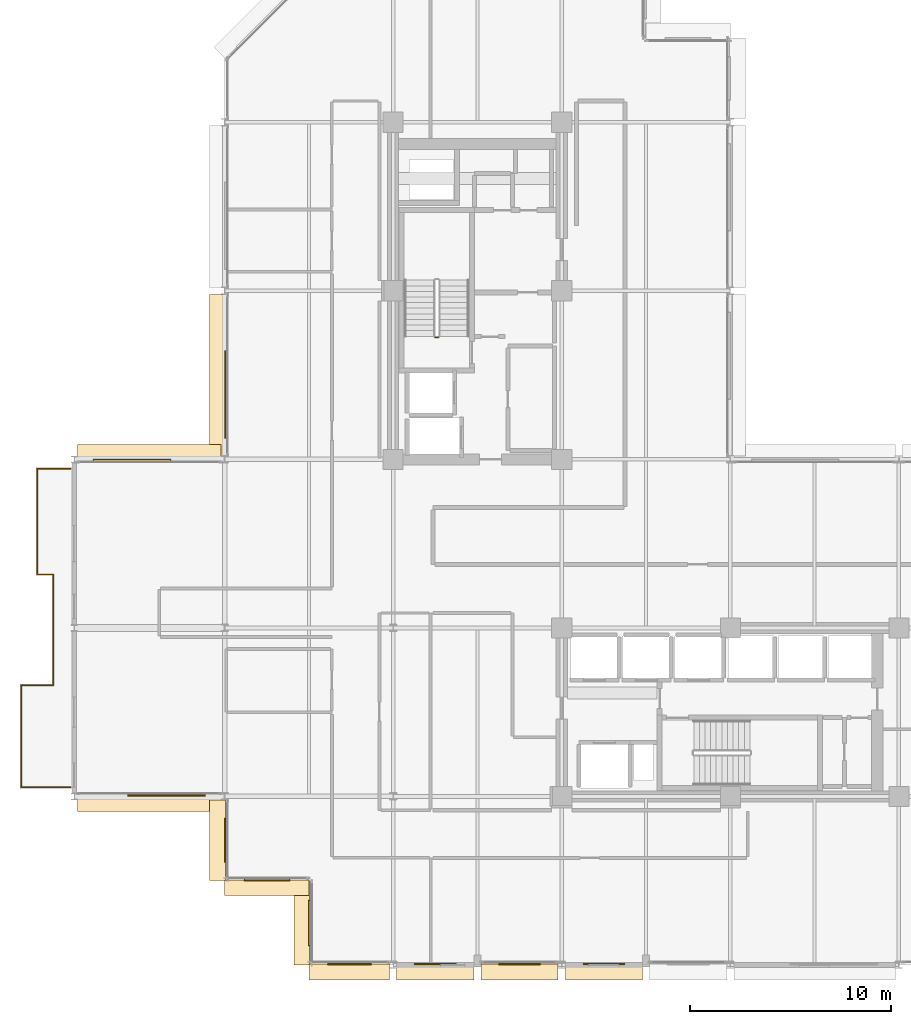
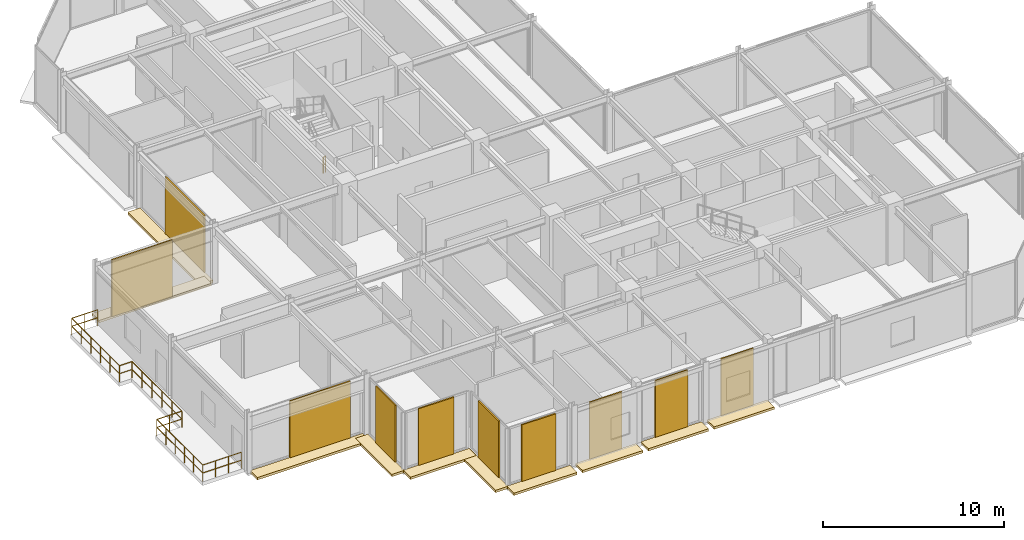
# One storey, part 27 of 29: 20 coverings, 8 railings.
"""IFC4 building model written with IfcOpenShell, lengths in metres."""

from ifc_helpers import new_model, si_unit, direction, frame, origin, origin_2d, place, context, subcontext, project, spatial, polyline, rectangle, circle, outline, extrude, material, layer, layer_set, type_object, element, save


model = new_model("IFC4")

# Units and contexts
model_context = context("Model", 3, precision=1e-05, world=origin(), true_north=direction((0.0, 1.0)))
body_context = subcontext(model_context, "Body", "Model", "MODEL_VIEW")
ifc_project = project(units=[si_unit("LENGTHUNIT", "METRE"), si_unit("AREAUNIT", "SQUARE_METRE"), si_unit("VOLUMEUNIT", "CUBIC_METRE"), si_unit("PLANEANGLEUNIT", "RADIAN"), si_unit("MASSUNIT", "GRAM", prefix="KILO")], contexts=[model_context])

# Site, building, storey
site_placement = place(None, origin())
site = spatial("IfcSite", under=ifc_project, at=site_placement, CompositionType="ELEMENT")
building_placement = place(site_placement, origin())
building = spatial("IfcBuilding", under=site, at=building_placement, Name="Nerrivon Quay Data Exchange", CompositionType="ELEMENT")
storey_placement = place(building_placement, frame((0.0, 0.0, 179.60009765625)))
storey = spatial("IfcBuildingStorey", under=building, at=storey_placement, Name="L42", CompositionType="ELEMENT", Elevation=179.60009765625)

# Coverings
ifc_material_1 = material(Name="Architectural terracotta ceramic", Category="masonry")
ifc_layer_1 = layer(ifc_material_1, 0.159912109375)
ifc_layer_set_1 = layer_set([ifc_layer_1], Name="Architectural terracotta ceramic")
covering_type_1 = type_object("IfcCoveringType", Name="COV-BLD-TERR", PredefinedType="CLADDING", material=ifc_layer_set_1)
covering_1_placement = place(storey_placement, frame((0.0, 0.0, -0.16015625)))
element("IfcCovering", 1, at=covering_1_placement, inside=storey, type_object=covering_type_1, Name="L42 Horizontal Terracotta SOLAR SCREEN Blade", PredefinedType="CLADDING", context=body_context, shape_type="SweptSolid", body=[
    extrude(outline(polyline([(-7.344482421875, 25.159912109375), (-0.175048828125, 25.159912109375), (-0.175048828125, 25.949951171875), (-7.344482421875, 25.949951171875), (-7.344482421875, 25.159912109375)])), origin(), (0.0, 0.0, 1.0), 0.16015625),
])
covering_2_placement = place(storey_placement, frame((0.0, 0.0, -0.16015625)))
element("IfcCovering", 2, at=covering_2_placement, inside=storey, type_object=covering_type_1, Name="L42 Horizontal Terracotta SOLAR SCREEN Blade", PredefinedType="CLADDING", context=body_context, shape_type="SweptSolid", body=[
    extrude(outline(polyline([(0.0400390625, 25.375), (0.0400390625, 33.425048828125), (-0.75, 33.425048828125), (-0.75, 25.375), (0.0400390625, 25.375)])), origin(), (0.0, 0.0, 1.0), 0.16015625),
])
covering_3_placement = place(storey_placement, frame((0.0, 0.0, -0.16015625)))
element("IfcCovering", 3, at=covering_3_placement, inside=storey, type_object=covering_type_1, Name="L42 Horizontal Terracotta SOLAR SCREEN Blade", PredefinedType="CLADDING", context=body_context, shape_type="SweptSolid", body=[
    extrude(outline(polyline([(20.824951171875, 0.0400390625), (16.97509765625, 0.0400390625), (16.97509765625, -0.75), (20.824951171875, -0.75), (20.824951171875, 0.0400390625)])), origin(), (0.0, 0.0, 1.0), 0.16015625),
])
covering_4_placement = place(storey_placement, frame((0.0, 0.0, -0.16015625)))
element("IfcCovering", 4, at=covering_4_placement, inside=storey, type_object=covering_type_1, Name="L42 Horizontal Terracotta SOLAR SCREEN Blade", PredefinedType="CLADDING", context=body_context, shape_type="SweptSolid", body=[
    extrude(outline(polyline([(16.625, 0.0400390625), (12.77490234375, 0.0400390625), (12.77490234375, -0.75), (16.625, -0.75), (16.625, 0.0400390625)])), origin(), (0.0, 0.0, 1.0), 0.16015625),
])
covering_5_placement = place(storey_placement, frame((0.0, 0.0, -0.16015625)))
element("IfcCovering", 5, at=covering_5_placement, inside=storey, type_object=covering_type_1, Name="L42 Horizontal Terracotta SOLAR SCREEN Blade", PredefinedType="CLADDING", context=body_context, shape_type="SweptSolid", body=[
    extrude(outline(polyline([(12.425048828125, 0.0400390625), (8.574951171875, 0.0400390625), (8.574951171875, -0.75), (12.425048828125, -0.75), (12.425048828125, 0.0400390625)])), origin(), (0.0, 0.0, 1.0), 0.16015625),
])
covering_6_placement = place(storey_placement, frame((0.0, 0.0, -0.16015625)))
element("IfcCovering", 6, at=covering_6_placement, inside=storey, type_object=covering_type_1, Name="L42 Horizontal Terracotta SOLAR SCREEN Blade", PredefinedType="CLADDING", context=body_context, shape_type="SweptSolid", body=[
    extrude(outline(polyline([(8.22509765625, 0.0400390625), (4.199951171875, 0.0400390625), (4.199951171875, -0.75), (8.22509765625, -0.75), (8.22509765625, 0.0400390625)])), origin(), (0.0, 0.0, 1.0), 0.16015625),
])
covering_7_placement = place(storey_placement, frame((0.0, 0.0, -0.16015625)))
element("IfcCovering", 7, at=covering_7_placement, inside=storey, type_object=covering_type_1, Name="L42 Horizontal Terracotta SOLAR SCREEN Blade", PredefinedType="CLADDING", context=body_context, shape_type="SweptSolid", body=[
    extrude(outline(polyline([(4.239990234375, 0.0), (4.239990234375, 4.199951171875), (3.449951171875, 4.199951171875), (3.449951171875, 0.0), (4.239990234375, 0.0)])), origin(), (0.0, 0.0, 1.0), 0.16015625),
])
covering_8_placement = place(storey_placement, frame((0.0, 0.0, -0.16015625)))
element("IfcCovering", 8, at=covering_8_placement, inside=storey, type_object=covering_type_1, Name="L42 Horizontal Terracotta SOLAR SCREEN Blade", PredefinedType="CLADDING", context=body_context, shape_type="SweptSolid", body=[
    extrude(outline(polyline([(4.199951171875, 4.239990234375), (0.0, 4.239990234375), (0.0, 3.449951171875), (4.199951171875, 3.449951171875), (4.199951171875, 4.239990234375)])), origin(), (0.0, 0.0, 1.0), 0.16015625),
])
covering_9_placement = place(storey_placement, frame((0.0, 0.0, -0.16015625)))
element("IfcCovering", 9, at=covering_9_placement, inside=storey, type_object=covering_type_1, Name="L42 Horizontal Terracotta SOLAR SCREEN Blade", PredefinedType="CLADDING", context=body_context, shape_type="SweptSolid", body=[
    extrude(outline(polyline([(0.0400390625, 4.199951171875), (0.0400390625, 8.22509765625), (-0.75, 8.22509765625), (-0.75, 4.199951171875), (0.0400390625, 4.199951171875)])), origin(), (0.0, 0.0, 1.0), 0.16015625),
])
covering_10_placement = place(storey_placement, frame((0.0, 0.0, -0.16015625)))
element("IfcCovering", 10, at=covering_10_placement, inside=storey, type_object=covering_type_1, Name="L42 Horizontal Terracotta SOLAR SCREEN Blade", PredefinedType="CLADDING", context=body_context, shape_type="SweptSolid", body=[
    extrude(outline(polyline([(-0.175048828125, 8.43994140625), (-7.344482421875, 8.43994140625), (-7.344482421875, 7.64990234375), (-0.175048828125, 7.64990234375), (-0.175048828125, 8.43994140625)])), origin(), (0.0, 0.0, 1.0), 0.16015625),
])
ifc_layer_2 = layer(ifc_material_1, 0.090087890625)
ifc_layer_set_2 = layer_set([ifc_layer_2], Name="Architectural terracotta ceramic")
covering_type_2 = type_object("IfcCoveringType", Name="COV-SCR-TERR", PredefinedType="CLADDING", material=ifc_layer_set_2)
covering_11_placement = place(storey_placement, frame((-4.6201171875, 25.155029296875, 0.0), z_axis=(0.0, 0.0, 1.0), x_axis=(1.0, 0.0, 0.0)))
element("IfcCovering", 11, at=covering_11_placement, inside=storey, type_object=covering_type_2, Name="L42 Perforated Terracotta SOLAR SCREEN Cassette", PredefinedType="CLADDING", context=body_context, shape_type="SweptSolid", body=[
    extrude(rectangle(XDim=3.8720703125, YDim=0.090087890625, at=origin_2d()), origin(), (0.0, 0.0, 1.0), 3.824951171875),
])
covering_12_placement = place(storey_placement, frame((0.044921875, 28.43408203125, 0.0), z_axis=(0.0, 0.0, 1.0), x_axis=(0.0, 1.0, 0.0)))
element("IfcCovering", 12, at=covering_12_placement, inside=storey, type_object=covering_type_2, Name="L42 Perforated Terracotta SOLAR SCREEN Cassette", PredefinedType="CLADDING", context=body_context, shape_type="SweptSolid", body=[
    extrude(rectangle(XDim=4.346923828125, YDim=0.090087890625, at=origin_2d()), origin(), (0.0, 0.0, 1.0), 3.824951171875),
])
for number, where, z_axis, x_axis, name in (
    (13, (18.89990234375, 0.044921875, 0.0), (0.0, 0.0, 1.0), (-1.0, 0.0, 0.0), "L42 Perforated Terracotta SOLAR SCREEN Cassette"),
    (14, (14.699951171875, 0.044921875, 0.0), (0.0, 0.0, 1.0), (-1.0, 0.0, 0.0), "L42 Perforated Terracotta SOLAR SCREEN Cassette"),
    (15, (10.5, 0.044921875, 0.0), (0.0, 0.0, 1.0), (-1.0, 0.0, 0.0), "L42 Perforated Terracotta SOLAR SCREEN Cassette"),
):
    element("IfcCovering", number, at=place(storey_placement, frame(where, z_axis=z_axis, x_axis=x_axis)), inside=storey, type_object=covering_type_2, Name=name, PredefinedType="CLADDING", context=body_context, shape_type="SweptSolid", body=[
        extrude(rectangle(XDim=2.0791015625, YDim=0.090087890625, at=origin_2d()), origin(), (0.0, 0.0, 1.0), 3.824951171875),
    ])
covering_13_placement = place(storey_placement, frame((6.21240234375, 0.044921875, 0.0), z_axis=(0.0, 0.0, 1.0), x_axis=(-1.0, 0.0, 0.0)))
element("IfcCovering", 16, at=covering_13_placement, inside=storey, type_object=covering_type_2, Name="L42 Perforated Terracotta SOLAR SCREEN Cassette", PredefinedType="CLADDING", context=body_context, shape_type="SweptSolid", body=[
    extrude(rectangle(XDim=2.173095703125, YDim=0.090087890625, at=origin_2d()), origin(), (0.0, 0.0, 1.0), 3.824951171875),
])
for number, where, z_axis, x_axis, name in (
    (17, (4.2451171875, 2.10009765625, 0.0), (0.0, 0.0, 1.0), (0.0, 1.0, 0.0), "L42 Perforated Terracotta SOLAR SCREEN Cassette"),
    (18, (2.10009765625, 4.2451171875, 0.0), (0.0, 0.0, 1.0), (-1.0, 0.0, 0.0), "L42 Perforated Terracotta SOLAR SCREEN Cassette"),
):
    element("IfcCovering", number, at=place(storey_placement, frame(where, z_axis=z_axis, x_axis=x_axis)), inside=storey, type_object=covering_type_2, Name=name, PredefinedType="CLADDING", context=body_context, shape_type="SweptSolid", body=[
        extrude(rectangle(XDim=2.26806640625, YDim=0.090087890625, at=origin_2d()), origin(), (0.0, 0.0, 1.0), 3.824951171875),
    ])
covering_14_placement = place(storey_placement, frame((0.044921875, 6.21240234375, 0.0), z_axis=(0.0, 0.0, 1.0), x_axis=(0.0, 1.0, 0.0)))
element("IfcCovering", 19, at=covering_14_placement, inside=storey, type_object=covering_type_2, Name="L42 Perforated Terracotta SOLAR SCREEN Cassette", PredefinedType="CLADDING", context=body_context, shape_type="SweptSolid", body=[
    extrude(rectangle(XDim=2.173095703125, YDim=0.090087890625, at=origin_2d()), origin(), (0.0, 0.0, 1.0), 3.824951171875),
])
covering_15_placement = place(storey_placement, frame((-2.8994140625, 8.445068359375, 0.0), z_axis=(0.0, 0.0, 1.0), x_axis=(-1.0, 0.0, 0.0)))
element("IfcCovering", 20, at=covering_15_placement, inside=storey, type_object=covering_type_2, Name="L42 Perforated Terracotta SOLAR SCREEN Cassette", PredefinedType="CLADDING", context=body_context, shape_type="SweptSolid", body=[
    extrude(rectangle(XDim=3.8720703125, YDim=0.090087890625, at=origin_2d()), origin(), (0.0, 0.0, 1.0), 3.824951171875),
])

# Railings
ifc_material_2 = material(Name="Steel Grade C350L0 (350 MPa)", Category="steel")
railing_type_1 = type_object("IfcRailingType", Name="RAIL-GUARD-GR2", PredefinedType="BALUSTRADE", material=ifc_material_2)
railing_1_placement = place(storey_placement, frame((-7.679931640625, 8.860107421875, 0.0)))
element("IfcRailing", 21, at=railing_1_placement, inside=storey, type_object=railing_type_1, Name="L42 Verandah Balcony Guard 1.1 1", PredefinedType="BALUSTRADE", context=body_context, shape_type="SweptSolid", body=[
    extrude(circle(Radius=0.02392578125, at=origin_2d()), frame((0.0, 0.0, 1.09619140625), z_axis=(-1.0, 0.0, 0.0), x_axis=(0.0, -1.0, 0.0)), (0.0, 0.0, 1.0), 2.4599609375),
    extrude(circle(Radius=0.02392578125, at=origin_2d()), frame((0.0, 0.0, 0.56005859375), z_axis=(-1.0, 0.0, 0.0), x_axis=(0.0, -1.0, 0.0)), (0.0, 0.0, 1.0), 2.4599609375),
    extrude(circle(Radius=0.02099609375, at=origin_2d()), origin(), (0.0, 0.0, 1.0), 1.072021484375),
    extrude(circle(Radius=0.02099609375, at=origin_2d()), frame((-0.820068359375, 0.0, 0.0)), (0.0, 0.0, 1.0), 1.072021484375),
    extrude(circle(Radius=0.02099609375, at=origin_2d()), frame((-1.639892578125, 0.0, 0.0)), (0.0, 0.0, 1.0), 1.072021484375),
    extrude(circle(Radius=0.02099609375, at=origin_2d()), frame((-2.4599609375, 0.0, 0.0)), (0.0, 0.0, 1.0), 1.072021484375),
])
railing_2_placement = place(storey_placement, frame((-10.139892578125, 8.860107421875, 0.0)))
element("IfcRailing", 22, at=railing_2_placement, inside=storey, type_object=railing_type_1, Name="L42 Verandah Balcony Guard 1.2 1", PredefinedType="BALUSTRADE", context=body_context, shape_type="SweptSolid", body=[
    extrude(circle(Radius=0.02392578125, at=origin_2d()), frame((0.0, 0.0, 1.09619140625), z_axis=(0.0, 1.0, 0.0), x_axis=(-1.0, 0.0, 0.0)), (0.0, 0.0, 1.0), 5.079833984375),
    extrude(circle(Radius=0.02392578125, at=origin_2d()), frame((0.0, 0.0, 0.56005859375), z_axis=(0.0, 1.0, 0.0), x_axis=(-1.0, 0.0, 0.0)), (0.0, 0.0, 1.0), 5.079833984375),
    extrude(circle(Radius=0.02099609375, at=origin_2d()), origin(), (0.0, 0.0, 1.0), 1.072021484375),
    extrude(circle(Radius=0.02099609375, at=origin_2d()), frame((0.0, 1.015869140625, 0.0)), (0.0, 0.0, 1.0), 1.072021484375),
    extrude(circle(Radius=0.02099609375, at=origin_2d()), frame((0.0, 2.031982421875, 0.0)), (0.0, 0.0, 1.0), 1.072021484375),
    extrude(circle(Radius=0.02099609375, at=origin_2d()), frame((0.0, 3.0478515625, 0.0)), (0.0, 0.0, 1.0), 1.072021484375),
    extrude(circle(Radius=0.02099609375, at=origin_2d()), frame((0.0, 4.06396484375, 0.0)), (0.0, 0.0, 1.0), 1.072021484375),
    extrude(circle(Radius=0.02099609375, at=origin_2d()), frame((0.0, 5.079833984375, 0.0)), (0.0, 0.0, 1.0), 1.072021484375),
])
railing_3_placement = place(storey_placement, frame((-10.139892578125, 13.93994140625, 0.0)))
element("IfcRailing", 23, at=railing_3_placement, inside=storey, type_object=railing_type_1, Name="L42 Verandah Balcony Guard 1.3 1", PredefinedType="BALUSTRADE", context=body_context, shape_type="SweptSolid", body=[
    extrude(circle(Radius=0.02392578125, at=origin_2d()), frame((0.0, 0.0, 1.09619140625), z_axis=(1.0, 0.0, 0.0), x_axis=(0.0, 1.0, 0.0)), (0.0, 0.0, 1.0), 1.599853515625),
    extrude(circle(Radius=0.02392578125, at=origin_2d()), frame((0.0, 0.0, 0.56005859375), z_axis=(1.0, 0.0, 0.0), x_axis=(0.0, 1.0, 0.0)), (0.0, 0.0, 1.0), 1.599853515625),
    extrude(circle(Radius=0.02099609375, at=origin_2d()), origin(), (0.0, 0.0, 1.0), 1.072021484375),
    extrude(circle(Radius=0.02099609375, at=origin_2d()), frame((0.7998046875, 0.0, 0.0)), (0.0, 0.0, 1.0), 1.072021484375),
    extrude(circle(Radius=0.02099609375, at=origin_2d()), frame((1.599853515625, 0.0, 0.0)), (0.0, 0.0, 1.0), 1.072021484375),
])
railing_4_placement = place(storey_placement, frame((-8.5400390625, 13.93994140625, 0.0)))
element("IfcRailing", 24, at=railing_4_placement, inside=storey, type_object=railing_type_1, Name="L42 Verandah Balcony Guard 1.4 1", PredefinedType="BALUSTRADE", context=body_context, shape_type="SweptSolid", body=[
    extrude(circle(Radius=0.02392578125, at=origin_2d()), frame((0.0, 0.0, 1.09619140625), z_axis=(0.0, 1.0, 0.0), x_axis=(-1.0, 0.0, 0.0)), (0.0, 0.0, 1.0), 5.52001953125),
    extrude(circle(Radius=0.02392578125, at=origin_2d()), frame((0.0, 0.0, 0.56005859375), z_axis=(0.0, 1.0, 0.0), x_axis=(-1.0, 0.0, 0.0)), (0.0, 0.0, 1.0), 5.52001953125),
    extrude(circle(Radius=0.02099609375, at=origin_2d()), origin(), (0.0, 0.0, 1.0), 1.072021484375),
    extrude(circle(Radius=0.02099609375, at=origin_2d()), frame((0.0, 1.10400390625, 0.0)), (0.0, 0.0, 1.0), 1.072021484375),
    extrude(circle(Radius=0.02099609375, at=origin_2d()), frame((0.0, 2.2080078125, 0.0)), (0.0, 0.0, 1.0), 1.072021484375),
    extrude(circle(Radius=0.02099609375, at=origin_2d()), frame((0.0, 3.31201171875, 0.0)), (0.0, 0.0, 1.0), 1.072021484375),
    extrude(circle(Radius=0.02099609375, at=origin_2d()), frame((0.0, 4.416015625, 0.0)), (0.0, 0.0, 1.0), 1.072021484375),
    extrude(circle(Radius=0.02099609375, at=origin_2d()), frame((0.0, 5.52001953125, 0.0)), (0.0, 0.0, 1.0), 1.072021484375),
])
railing_5_placement = place(storey_placement, frame((-8.5400390625, 19.4599609375, 0.0)))
element("IfcRailing", 25, at=railing_5_placement, inside=storey, type_object=railing_type_1, Name="L42 Verandah Balcony Guard 1.5 1", PredefinedType="BALUSTRADE", context=body_context, shape_type="SweptSolid", body=[
    extrude(circle(Radius=0.02392578125, at=origin_2d()), frame((0.0, 0.0, 1.09619140625), z_axis=(-1.0, 0.0, 0.0), x_axis=(0.0, -1.0, 0.0)), (0.0, 0.0, 1.0), 0.800048828125),
    extrude(circle(Radius=0.02392578125, at=origin_2d()), frame((0.0, 0.0, 0.56005859375), z_axis=(-1.0, 0.0, 0.0), x_axis=(0.0, -1.0, 0.0)), (0.0, 0.0, 1.0), 0.800048828125),
    extrude(circle(Radius=0.02099609375, at=origin_2d()), origin(), (0.0, 0.0, 1.0), 1.072021484375),
    extrude(circle(Radius=0.02099609375, at=origin_2d()), frame((-0.800048828125, 0.0, 0.0)), (0.0, 0.0, 1.0), 1.072021484375),
])
railing_6_placement = place(storey_placement, frame((-9.340087890625, 19.4599609375, 0.0)))
element("IfcRailing", 26, at=railing_6_placement, inside=storey, type_object=railing_type_1, Name="L42 Verandah Balcony Guard 1.6 1", PredefinedType="BALUSTRADE", context=body_context, shape_type="SweptSolid", body=[
    extrude(circle(Radius=0.02392578125, at=origin_2d()), frame((0.0, 0.0, 1.09619140625), z_axis=(0.0, 1.0, 0.0), x_axis=(-1.0, 0.0, 0.0)), (0.0, 0.0, 1.0), 5.280029296875),
    extrude(circle(Radius=0.02392578125, at=origin_2d()), frame((0.0, 0.0, 0.56005859375), z_axis=(0.0, 1.0, 0.0), x_axis=(-1.0, 0.0, 0.0)), (0.0, 0.0, 1.0), 5.280029296875),
    extrude(circle(Radius=0.02099609375, at=origin_2d()), origin(), (0.0, 0.0, 1.0), 1.072021484375),
    extrude(circle(Radius=0.02099609375, at=origin_2d()), frame((0.0, 1.055908203125, 0.0)), (0.0, 0.0, 1.0), 1.072021484375),
    extrude(circle(Radius=0.02099609375, at=origin_2d()), frame((0.0, 2.112060546875, 0.0)), (0.0, 0.0, 1.0), 1.072021484375),
    extrude(circle(Radius=0.02099609375, at=origin_2d()), frame((0.0, 3.16796875, 0.0)), (0.0, 0.0, 1.0), 1.072021484375),
    extrude(circle(Radius=0.02099609375, at=origin_2d()), frame((0.0, 4.22412109375, 0.0)), (0.0, 0.0, 1.0), 1.072021484375),
    extrude(circle(Radius=0.02099609375, at=origin_2d()), frame((0.0, 5.280029296875, 0.0)), (0.0, 0.0, 1.0), 1.072021484375),
])
railing_7_placement = place(storey_placement, frame((-9.340087890625, 24.739990234375, 0.0)))
element("IfcRailing", 27, at=railing_7_placement, inside=storey, type_object=railing_type_1, Name="L42 Verandah Balcony Guard 1.7 1", PredefinedType="BALUSTRADE", context=body_context, shape_type="SweptSolid", body=[
    extrude(circle(Radius=0.02392578125, at=origin_2d()), frame((0.0, 0.0, 1.09619140625), z_axis=(1.0, 0.0, 0.0), x_axis=(0.0, 1.0, 0.0)), (0.0, 0.0, 1.0), 1.66015625),
    extrude(circle(Radius=0.02392578125, at=origin_2d()), frame((0.0, 0.0, 0.56005859375), z_axis=(1.0, 0.0, 0.0), x_axis=(0.0, 1.0, 0.0)), (0.0, 0.0, 1.0), 1.66015625),
    extrude(circle(Radius=0.02099609375, at=origin_2d()), origin(), (0.0, 0.0, 1.0), 1.072021484375),
    extrude(circle(Radius=0.02099609375, at=origin_2d()), frame((0.830078125, 0.0, 0.0)), (0.0, 0.0, 1.0), 1.072021484375),
    extrude(circle(Radius=0.02099609375, at=origin_2d()), frame((1.66015625, 0.0, 0.0)), (0.0, 0.0, 1.0), 1.072021484375),
])
railing_type_2 = type_object("IfcRailingType", Name="RAIL-STAIR-GR1", PredefinedType="BALUSTRADE", material=ifc_material_2)
railing_8_placement = place(storey_placement, frame((10.64990234375, 31.280029296875, 0.0)))
element("IfcRailing", 28, at=railing_8_placement, inside=storey, type_object=railing_type_2, Name="L42 ST01 stair guard 4", PredefinedType="BALUSTRADE", context=body_context, shape_type="SweptSolid", body=[
    extrude(circle(Radius=0.02392578125, at=origin_2d()), frame((0.0, 0.0, 1.076171875), z_axis=(-1.0, 0.0, 0.0), x_axis=(0.0, -1.0, 0.0)), (0.0, 0.0, 1.0), 0.14990234375),
    extrude(circle(Radius=0.02392578125, at=origin_2d()), frame((0.0, 0.0, 0.550048828125), z_axis=(-1.0, 0.0, 0.0), x_axis=(0.0, -1.0, 0.0)), (0.0, 0.0, 1.0), 0.14990234375),
    extrude(circle(Radius=0.02099609375, at=origin_2d()), origin(), (0.0, 0.0, 1.0), 1.052001953125),
    extrude(circle(Radius=0.02099609375, at=origin_2d()), frame((-0.14990234375, 0.0, 0.0)), (0.0, 0.0, 1.0), 1.052001953125),
])

save(model, "model.ifc")
